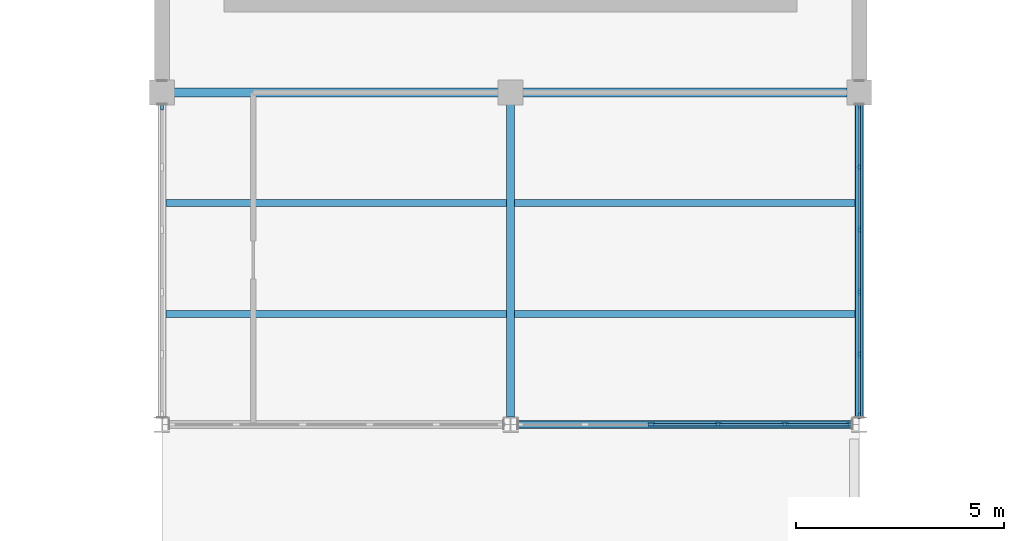
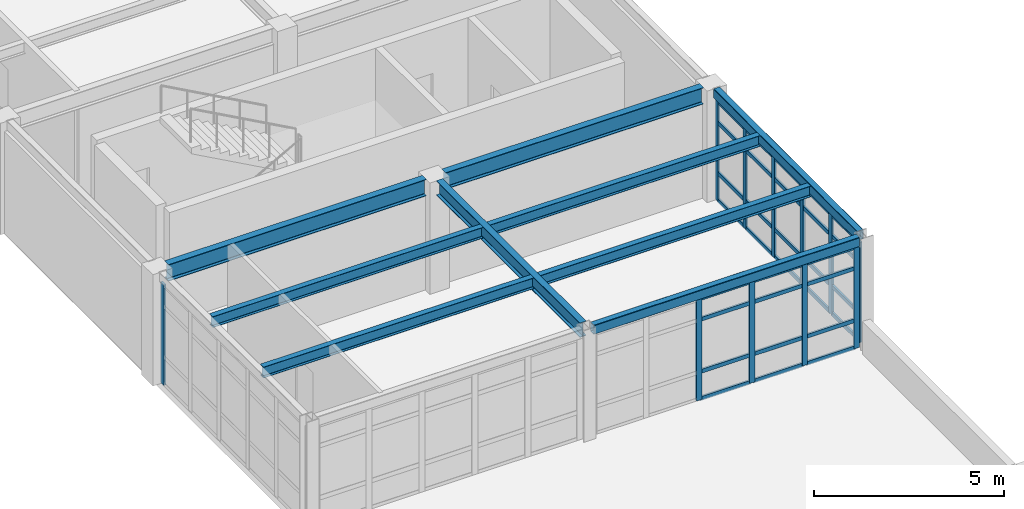
# One storey, part 21 of 96: 43 members, 9 beams, 3 elements without a shape of their own.
"""IFC4 building model written with IfcOpenShell, lengths in metres."""

from ifc_helpers import new_model, si_unit, direction, frame, origin, origin_2d, place, context, subcontext, project, spatial, rectangle, hollow_rectangle, i_section, extrude, material, layer, layer_set, material_profile, profile_set, type_object, element, aggregate, save


model = new_model("IFC4")

# Units and contexts
model_context = context("Model", 3, precision=1e-05, world=origin(), true_north=direction((0.0, 1.0)))
body_context = subcontext(model_context, "Body", "Model", "MODEL_VIEW")
ifc_project = project(units=[si_unit("LENGTHUNIT", "METRE"), si_unit("AREAUNIT", "SQUARE_METRE"), si_unit("VOLUMEUNIT", "CUBIC_METRE"), si_unit("PLANEANGLEUNIT", "RADIAN"), si_unit("MASSUNIT", "GRAM", prefix="KILO")], contexts=[model_context])

# Site, building, storey
site_placement = place(None, origin())
site = spatial("IfcSite", under=ifc_project, at=site_placement, CompositionType="ELEMENT")
building_placement = place(site_placement, origin())
building = spatial("IfcBuilding", under=site, at=building_placement, Name="Kranzveld Transit Interchange", CompositionType="ELEMENT")
storey_placement = place(building_placement, frame((0.0, 0.0, 9.52001953125)))
storey = spatial("IfcBuildingStorey", under=building, at=storey_placement, Name="L02", CompositionType="ELEMENT", Elevation=9.52001953125)

# Beam
ifc_material_1 = material(Name="Steel S355JR", Category="steel")
ifc_material_profile_1 = material_profile(ifc_material_1, i_section(OverallWidth=0.19189453125, OverallDepth=0.46337890625, WebThickness=0.010498046875, FlangeThickness=0.017578125, FilletRadius=0.01025390625, at=origin_2d()), Name="UB 457x191x89")
ifc_profile_set_1 = profile_set([ifc_material_profile_1], Name="Steel S355JR")
beam_type_1 = type_object("IfcBeamType", Name="Beam Steel UB 457x191x89 S355JR", PredefinedType="BEAM", material=ifc_profile_set_1)
beam_1_placement = place(storey_placement, frame((109.199951171875, 64.17724609375, 3.33837890625), z_axis=(0.0, 1.0, 0.0), x_axis=(-1.0, 0.0, 0.0)))
element("IfcBeam", 1, at=beam_1_placement, inside=storey, type_object=beam_type_1, Name="L02 Girder 14/J-K", PredefinedType="BEAM", context=body_context, shape_type="SweptSolid", body=[
    extrude(i_section(OverallWidth=0.19189453125, OverallDepth=0.46337890625, WebThickness=0.010498046875, FlangeThickness=0.017578125, FilletRadius=0.01025390625, at=origin_2d()), origin(), (0.0, 0.0, 1.0), 7.53271484375),
])

# Curtain wall, members
ifc_material_2 = material(Name="Bronze-anodised thermally broken aluminium", Category="aluminium")
ifc_layer_1 = layer(ifc_material_2, 0.1650390625)
ifc_layer_set_1 = layer_set([ifc_layer_1], Name="Bronze-anodised thermally broken aluminium")
curtain_wall_type_1 = type_object("IfcCurtainWallType", Name="Sunny Court Arcade Curtain Wall CW-2", PredefinedType="USERDEFINED", material=ifc_layer_set_1)
curtain_wall_1_placement = place(storey_placement, origin())
curtain_wall_1 = element("IfcCurtainWall", 2, at=curtain_wall_1_placement, inside=storey, type_object=curtain_wall_type_1, Name="L02 Curtain Wall 15/J-15/K", ObjectType="CURTAIN WALL", PredefinedType="USERDEFINED")
ifc_material_3 = material(Name="Bronze-anodised thermally broken aluminium", Category="aluminium")
ifc_material_profile_2 = material_profile(ifc_material_3, rectangle(XDim=0.06494140625, YDim=0.1650390625, at=origin_2d()), Name="ALU MULLION 65x165")
ifc_profile_set_2 = profile_set([ifc_material_profile_2], Name="Bronze-anodised thermally broken aluminium")
member_type_1 = type_object("IfcMemberType", Name="Curtain Wall Mullion 65x165 Alu", PredefinedType="MULLION", material=ifc_profile_set_2)
member_1_placement = place(storey_placement, frame((117.60009765625, 64.2197265625, 0.0), z_axis=(0.0, 0.0, 1.0), x_axis=(-1.0, 0.0, 0.0)))
member_1 = element("IfcMember", 3, at=member_1_placement, type_object=member_type_1, Name="CW-2 mullion 1", PredefinedType="MULLION", context=body_context, shape_type="SweptSolid", body=[
    extrude(rectangle(XDim=0.06494140625, YDim=0.1650390625, at=origin_2d()), origin(), (0.0, 0.0, 1.0), 3.218505859375),
])
member_2_placement = place(storey_placement, frame((117.60009765625, 65.68994140625, 0.0), z_axis=(0.0, 0.0, 1.0), x_axis=(-1.0, 0.0, 0.0)))
member_2 = element("IfcMember", 4, at=member_2_placement, type_object=member_type_1, Name="CW-2 mullion 2", PredefinedType="MULLION", context=body_context, shape_type="SweptSolid", body=[
    extrude(rectangle(XDim=0.06494140625, YDim=0.1650390625, at=origin_2d()), origin(), (0.0, 0.0, 1.0), 3.218505859375),
])
member_3_placement = place(storey_placement, frame((117.60009765625, 67.1923828125, 0.0), z_axis=(0.0, 0.0, 1.0), x_axis=(-1.0, 0.0, 0.0)))
member_3 = element("IfcMember", 5, at=member_3_placement, type_object=member_type_1, Name="CW-2 mullion 3", PredefinedType="MULLION", context=body_context, shape_type="SweptSolid", body=[
    extrude(rectangle(XDim=0.06494140625, YDim=0.1650390625, at=origin_2d()), origin(), (0.0, 0.0, 1.0), 3.218505859375),
])
member_4_placement = place(storey_placement, frame((117.60009765625, 68.69482421875, 0.0), z_axis=(0.0, 0.0, 1.0), x_axis=(-1.0, 0.0, 0.0)))
member_4 = element("IfcMember", 6, at=member_4_placement, type_object=member_type_1, Name="CW-2 mullion 4", PredefinedType="MULLION", context=body_context, shape_type="SweptSolid", body=[
    extrude(rectangle(XDim=0.06494140625, YDim=0.1650390625, at=origin_2d()), origin(), (0.0, 0.0, 1.0), 3.218505859375),
])
member_5_placement = place(storey_placement, frame((117.60009765625, 70.197509765625, 0.0), z_axis=(0.0, 0.0, 1.0), x_axis=(-1.0, 0.0, 0.0)))
member_5 = element("IfcMember", 7, at=member_5_placement, type_object=member_type_1, Name="CW-2 mullion 5", PredefinedType="MULLION", context=body_context, shape_type="SweptSolid", body=[
    extrude(rectangle(XDim=0.06494140625, YDim=0.1650390625, at=origin_2d()), origin(), (0.0, 0.0, 1.0), 3.218505859375),
])
member_6_placement = place(storey_placement, frame((117.60009765625, 71.66748046875, 0.0), z_axis=(0.0, 0.0, 1.0), x_axis=(-1.0, 0.0, 0.0)))
member_6 = element("IfcMember", 8, at=member_6_placement, type_object=member_type_1, Name="CW-2 mullion 6", PredefinedType="MULLION", context=body_context, shape_type="SweptSolid", body=[
    extrude(rectangle(XDim=0.06494140625, YDim=0.1650390625, at=origin_2d()), origin(), (0.0, 0.0, 1.0), 3.218505859375),
])

ifc_material_4 = material(Name="Bronze-anodised thermally broken aluminium", Category="aluminium")
ifc_layer_2 = layer(ifc_material_4, 0.155029296875)
ifc_layer_set_2 = layer_set([ifc_layer_2], Name="Bronze-anodised thermally broken aluminium")
curtain_wall_type_2 = type_object("IfcCurtainWallType", Name="Operations Courtyard Glazed Screen CW-6", PredefinedType="USERDEFINED", material=ifc_layer_set_2)
curtain_wall_2_placement = place(storey_placement, origin())
curtain_wall_2 = element("IfcCurtainWall", 9, at=curtain_wall_2_placement, inside=storey, type_object=curtain_wall_type_2, Name="L02 Curtain Wall 14/J-15/J", ObjectType="CURTAIN WALL", PredefinedType="USERDEFINED")
member_7_placement = place(storey_placement, frame((112.597412109375, 64.0, 0.0), z_axis=(0.0, 0.0, 1.0), x_axis=(0.0, 1.0, 0.0)))
member_7 = element("IfcMember", 10, at=member_7_placement, type_object=member_type_1, Name="CW-6 mullion 3", PredefinedType="MULLION", context=body_context, shape_type="SweptSolid", body=[
    extrude(rectangle(XDim=0.06494140625, YDim=0.1650390625, at=origin_2d()), origin(), (0.0, 0.0, 1.0), 3.27001953125),
])
member_8_placement = place(storey_placement, frame((114.20263671875, 64.0, 0.0), z_axis=(0.0, 0.0, 1.0), x_axis=(0.0, 1.0, 0.0)))
member_8 = element("IfcMember", 11, at=member_8_placement, type_object=member_type_1, Name="CW-6 mullion 4", PredefinedType="MULLION", context=body_context, shape_type="SweptSolid", body=[
    extrude(rectangle(XDim=0.06494140625, YDim=0.1650390625, at=origin_2d()), origin(), (0.0, 0.0, 1.0), 3.27001953125),
])
member_9_placement = place(storey_placement, frame((115.8076171875, 64.0, 0.0), z_axis=(0.0, 0.0, 1.0), x_axis=(0.0, 1.0, 0.0)))
member_9 = element("IfcMember", 12, at=member_9_placement, type_object=member_type_1, Name="CW-6 mullion 5", PredefinedType="MULLION", context=body_context, shape_type="SweptSolid", body=[
    extrude(rectangle(XDim=0.06494140625, YDim=0.1650390625, at=origin_2d()), origin(), (0.0, 0.0, 1.0), 3.27001953125),
])
member_10_placement = place(storey_placement, frame((117.380126953125, 64.0, 0.0), z_axis=(0.0, 0.0, 1.0), x_axis=(0.0, 1.0, 0.0)))
member_10 = element("IfcMember", 13, at=member_10_placement, type_object=member_type_1, Name="CW-6 mullion 6", PredefinedType="MULLION", context=body_context, shape_type="SweptSolid", body=[
    extrude(rectangle(XDim=0.06494140625, YDim=0.1650390625, at=origin_2d()), origin(), (0.0, 0.0, 1.0), 3.27001953125),
])

# Curtain wall, member
curtain_wall_3_placement = place(storey_placement, origin())
curtain_wall_3 = element("IfcCurtainWall", 14, at=curtain_wall_3_placement, inside=storey, type_object=curtain_wall_type_1, Name="L02 Curtain Wall 13/J-13/K", ObjectType="CURTAIN WALL", PredefinedType="USERDEFINED")
ifc_material_5 = material(Name="Bronze-anodised thermally broken aluminium", Category="aluminium")
ifc_material_profile_3 = material_profile(ifc_material_5, rectangle(XDim=0.06494140625, YDim=0.179931640625, at=origin_2d()), Name="ALU MULLION 65x180")
ifc_profile_set_3 = profile_set([ifc_material_profile_3], Name="Bronze-anodised thermally broken aluminium")
member_type_2 = type_object("IfcMemberType", Name="Curtain Wall Mullion 65x180 Alu", PredefinedType="MULLION", material=ifc_profile_set_3)
member_11_placement = place(storey_placement, frame((100.800048828125, 71.66748046875, 0.0), z_axis=(0.0, 0.0, 1.0), x_axis=(-1.0, 0.0, 0.0)))
member_11 = element("IfcMember", 15, at=member_11_placement, type_object=member_type_2, Name="CW-2 mullion 6", PredefinedType="MULLION", context=body_context, shape_type="SweptSolid", body=[
    extrude(rectangle(XDim=0.06494140625, YDim=0.179931640625, at=origin_2d()), origin(), (0.0, 0.0, 1.0), 3.218505859375),
])
aggregate(curtain_wall_3, [member_11])

# Member
ifc_material_6 = material(Name="Bronze-anodised thermally broken aluminium", Category="aluminium")
ifc_material_profile_4 = material_profile(ifc_material_6, rectangle(XDim=0.06005859375, YDim=0.125, at=origin_2d()), Name="ALU TRANSOM 60x125")
ifc_profile_set_4 = profile_set([ifc_material_profile_4], Name="Bronze-anodised thermally broken aluminium")
member_type_3 = type_object("IfcMemberType", Name="Curtain Wall Transom 60x125 Alu", PredefinedType="USERDEFINED", material=ifc_profile_set_4)
member_12_placement = place(storey_placement, frame((117.60009765625, 64.252197265625, 0.030029296875), z_axis=(0.0, 1.0, 0.0), x_axis=(-1.0, 0.0, 0.0)))
member_12 = element("IfcMember", 16, at=member_12_placement, type_object=member_type_3, Name="CW-2 transom 1.1", ObjectType="TRANSOM", PredefinedType="USERDEFINED", context=body_context, shape_type="SweptSolid", body=[
    extrude(rectangle(XDim=0.06005859375, YDim=0.125, at=origin_2d()), origin(), (0.0, 0.0, 1.0), 1.405029296875),
])

member_13_placement = place(storey_placement, frame((117.60009765625, 64.252197265625, 0.89990234375), z_axis=(0.0, 1.0, 0.0), x_axis=(-1.0, 0.0, 0.0)))
member_13 = element("IfcMember", 17, at=member_13_placement, type_object=member_type_3, Name="CW-2 transom 1.2", ObjectType="TRANSOM", PredefinedType="USERDEFINED", context=body_context, shape_type="SweptSolid", body=[
    extrude(rectangle(XDim=0.06005859375, YDim=0.125, at=origin_2d()), origin(), (0.0, 0.0, 1.0), 1.405029296875),
])

member_14_placement = place(storey_placement, frame((117.60009765625, 64.252197265625, 2.5185546875), z_axis=(0.0, 1.0, 0.0), x_axis=(-1.0, 0.0, 0.0)))
member_14 = element("IfcMember", 18, at=member_14_placement, type_object=member_type_3, Name="CW-2 transom 1.3", ObjectType="TRANSOM", PredefinedType="USERDEFINED", context=body_context, shape_type="SweptSolid", body=[
    extrude(rectangle(XDim=0.06005859375, YDim=0.125, at=origin_2d()), origin(), (0.0, 0.0, 1.0), 1.405029296875),
])

member_15_placement = place(storey_placement, frame((117.60009765625, 64.252197265625, 3.1884765625), z_axis=(0.0, 1.0, 0.0), x_axis=(-1.0, 0.0, 0.0)))
member_15 = element("IfcMember", 19, at=member_15_placement, type_object=member_type_3, Name="CW-2 transom 1.4", ObjectType="TRANSOM", PredefinedType="USERDEFINED", context=body_context, shape_type="SweptSolid", body=[
    extrude(rectangle(XDim=0.06005859375, YDim=0.125, at=origin_2d()), origin(), (0.0, 0.0, 1.0), 1.405029296875),
])

member_16_placement = place(storey_placement, frame((117.60009765625, 65.722412109375, 0.030029296875), z_axis=(0.0, 1.0, 0.0), x_axis=(-1.0, 0.0, 0.0)))
member_16 = element("IfcMember", 20, at=member_16_placement, type_object=member_type_3, Name="CW-2 transom 2.1", ObjectType="TRANSOM", PredefinedType="USERDEFINED", context=body_context, shape_type="SweptSolid", body=[
    extrude(rectangle(XDim=0.06005859375, YDim=0.125, at=origin_2d()), origin(), (0.0, 0.0, 1.0), 1.4375),
])

member_17_placement = place(storey_placement, frame((117.60009765625, 65.722412109375, 0.89990234375), z_axis=(0.0, 1.0, 0.0), x_axis=(-1.0, 0.0, 0.0)))
member_17 = element("IfcMember", 21, at=member_17_placement, type_object=member_type_3, Name="CW-2 transom 2.2", ObjectType="TRANSOM", PredefinedType="USERDEFINED", context=body_context, shape_type="SweptSolid", body=[
    extrude(rectangle(XDim=0.06005859375, YDim=0.125, at=origin_2d()), origin(), (0.0, 0.0, 1.0), 1.4375),
])

member_18_placement = place(storey_placement, frame((117.60009765625, 65.722412109375, 2.5185546875), z_axis=(0.0, 1.0, 0.0), x_axis=(-1.0, 0.0, 0.0)))
member_18 = element("IfcMember", 22, at=member_18_placement, type_object=member_type_3, Name="CW-2 transom 2.3", ObjectType="TRANSOM", PredefinedType="USERDEFINED", context=body_context, shape_type="SweptSolid", body=[
    extrude(rectangle(XDim=0.06005859375, YDim=0.125, at=origin_2d()), origin(), (0.0, 0.0, 1.0), 1.4375),
])

member_19_placement = place(storey_placement, frame((117.60009765625, 65.722412109375, 3.1884765625), z_axis=(0.0, 1.0, 0.0), x_axis=(-1.0, 0.0, 0.0)))
member_19 = element("IfcMember", 23, at=member_19_placement, type_object=member_type_3, Name="CW-2 transom 2.4", ObjectType="TRANSOM", PredefinedType="USERDEFINED", context=body_context, shape_type="SweptSolid", body=[
    extrude(rectangle(XDim=0.06005859375, YDim=0.125, at=origin_2d()), origin(), (0.0, 0.0, 1.0), 1.4375),
])

member_20_placement = place(storey_placement, frame((117.60009765625, 67.224853515625, 0.030029296875), z_axis=(0.0, 1.0, 0.0), x_axis=(-1.0, 0.0, 0.0)))
member_20 = element("IfcMember", 24, at=member_20_placement, type_object=member_type_3, Name="CW-2 transom 3.1", ObjectType="TRANSOM", PredefinedType="USERDEFINED", context=body_context, shape_type="SweptSolid", body=[
    extrude(rectangle(XDim=0.06005859375, YDim=0.125, at=origin_2d()), origin(), (0.0, 0.0, 1.0), 1.4375),
])

member_21_placement = place(storey_placement, frame((117.60009765625, 67.224853515625, 0.89990234375), z_axis=(0.0, 1.0, 0.0), x_axis=(-1.0, 0.0, 0.0)))
member_21 = element("IfcMember", 25, at=member_21_placement, type_object=member_type_3, Name="CW-2 transom 3.2", ObjectType="TRANSOM", PredefinedType="USERDEFINED", context=body_context, shape_type="SweptSolid", body=[
    extrude(rectangle(XDim=0.06005859375, YDim=0.125, at=origin_2d()), origin(), (0.0, 0.0, 1.0), 1.4375),
])

member_22_placement = place(storey_placement, frame((117.60009765625, 67.224853515625, 2.5185546875), z_axis=(0.0, 1.0, 0.0), x_axis=(-1.0, 0.0, 0.0)))
member_22 = element("IfcMember", 26, at=member_22_placement, type_object=member_type_3, Name="CW-2 transom 3.3", ObjectType="TRANSOM", PredefinedType="USERDEFINED", context=body_context, shape_type="SweptSolid", body=[
    extrude(rectangle(XDim=0.06005859375, YDim=0.125, at=origin_2d()), origin(), (0.0, 0.0, 1.0), 1.4375),
])

member_23_placement = place(storey_placement, frame((117.60009765625, 67.224853515625, 3.1884765625), z_axis=(0.0, 1.0, 0.0), x_axis=(-1.0, 0.0, 0.0)))
member_23 = element("IfcMember", 27, at=member_23_placement, type_object=member_type_3, Name="CW-2 transom 3.4", ObjectType="TRANSOM", PredefinedType="USERDEFINED", context=body_context, shape_type="SweptSolid", body=[
    extrude(rectangle(XDim=0.06005859375, YDim=0.125, at=origin_2d()), origin(), (0.0, 0.0, 1.0), 1.4375),
])

member_24_placement = place(storey_placement, frame((117.60009765625, 68.7275390625, 0.030029296875), z_axis=(0.0, 1.0, 0.0), x_axis=(-1.0, 0.0, 0.0)))
member_24 = element("IfcMember", 28, at=member_24_placement, type_object=member_type_3, Name="CW-2 transom 4.1", ObjectType="TRANSOM", PredefinedType="USERDEFINED", context=body_context, shape_type="SweptSolid", body=[
    extrude(rectangle(XDim=0.06005859375, YDim=0.125, at=origin_2d()), origin(), (0.0, 0.0, 1.0), 1.4375),
])

member_25_placement = place(storey_placement, frame((117.60009765625, 68.7275390625, 0.89990234375), z_axis=(0.0, 1.0, 0.0), x_axis=(-1.0, 0.0, 0.0)))
member_25 = element("IfcMember", 29, at=member_25_placement, type_object=member_type_3, Name="CW-2 transom 4.2", ObjectType="TRANSOM", PredefinedType="USERDEFINED", context=body_context, shape_type="SweptSolid", body=[
    extrude(rectangle(XDim=0.06005859375, YDim=0.125, at=origin_2d()), origin(), (0.0, 0.0, 1.0), 1.4375),
])

member_26_placement = place(storey_placement, frame((117.60009765625, 68.7275390625, 2.5185546875), z_axis=(0.0, 1.0, 0.0), x_axis=(-1.0, 0.0, 0.0)))
member_26 = element("IfcMember", 30, at=member_26_placement, type_object=member_type_3, Name="CW-2 transom 4.3", ObjectType="TRANSOM", PredefinedType="USERDEFINED", context=body_context, shape_type="SweptSolid", body=[
    extrude(rectangle(XDim=0.06005859375, YDim=0.125, at=origin_2d()), origin(), (0.0, 0.0, 1.0), 1.4375),
])

member_27_placement = place(storey_placement, frame((117.60009765625, 68.7275390625, 3.1884765625), z_axis=(0.0, 1.0, 0.0), x_axis=(-1.0, 0.0, 0.0)))
member_27 = element("IfcMember", 31, at=member_27_placement, type_object=member_type_3, Name="CW-2 transom 4.4", ObjectType="TRANSOM", PredefinedType="USERDEFINED", context=body_context, shape_type="SweptSolid", body=[
    extrude(rectangle(XDim=0.06005859375, YDim=0.125, at=origin_2d()), origin(), (0.0, 0.0, 1.0), 1.4375),
])

member_28_placement = place(storey_placement, frame((117.60009765625, 70.22998046875, 0.030029296875), z_axis=(0.0, 1.0, 0.0), x_axis=(-1.0, 0.0, 0.0)))
member_28 = element("IfcMember", 32, at=member_28_placement, type_object=member_type_3, Name="CW-2 transom 5.1", ObjectType="TRANSOM", PredefinedType="USERDEFINED", context=body_context, shape_type="SweptSolid", body=[
    extrude(rectangle(XDim=0.06005859375, YDim=0.125, at=origin_2d()), origin(), (0.0, 0.0, 1.0), 1.405029296875),
])

member_29_placement = place(storey_placement, frame((117.60009765625, 70.22998046875, 0.89990234375), z_axis=(0.0, 1.0, 0.0), x_axis=(-1.0, 0.0, 0.0)))
member_29 = element("IfcMember", 33, at=member_29_placement, type_object=member_type_3, Name="CW-2 transom 5.2", ObjectType="TRANSOM", PredefinedType="USERDEFINED", context=body_context, shape_type="SweptSolid", body=[
    extrude(rectangle(XDim=0.06005859375, YDim=0.125, at=origin_2d()), origin(), (0.0, 0.0, 1.0), 1.405029296875),
])

member_30_placement = place(storey_placement, frame((117.60009765625, 70.22998046875, 2.5185546875), z_axis=(0.0, 1.0, 0.0), x_axis=(-1.0, 0.0, 0.0)))
member_30 = element("IfcMember", 34, at=member_30_placement, type_object=member_type_3, Name="CW-2 transom 5.3", ObjectType="TRANSOM", PredefinedType="USERDEFINED", context=body_context, shape_type="SweptSolid", body=[
    extrude(rectangle(XDim=0.06005859375, YDim=0.125, at=origin_2d()), origin(), (0.0, 0.0, 1.0), 1.405029296875),
])

member_31_placement = place(storey_placement, frame((117.60009765625, 70.22998046875, 3.1884765625), z_axis=(0.0, 1.0, 0.0), x_axis=(-1.0, 0.0, 0.0)))
member_31 = element("IfcMember", 35, at=member_31_placement, type_object=member_type_3, Name="CW-2 transom 5.4", ObjectType="TRANSOM", PredefinedType="USERDEFINED", context=body_context, shape_type="SweptSolid", body=[
    extrude(rectangle(XDim=0.06005859375, YDim=0.125, at=origin_2d()), origin(), (0.0, 0.0, 1.0), 1.405029296875),
])

aggregate(curtain_wall_1, [member_1, member_2, member_3, member_4, member_5, member_6, member_12, member_13, member_14, member_15, member_16, member_17, member_18, member_19, member_20, member_21, member_22, member_23, member_24, member_25, member_26, member_27, member_28, member_29, member_30, member_31])

member_32_placement = place(storey_placement, frame((112.6298828125, 64.0, 0.030029296875), z_axis=(1.0, 0.0, 0.0), x_axis=(0.0, 1.0, 0.0)))
member_32 = element("IfcMember", 36, at=member_32_placement, type_object=member_type_3, Name="CW-6 transom 3.1", ObjectType="TRANSOM", PredefinedType="USERDEFINED", context=body_context, shape_type="SweptSolid", body=[
    extrude(rectangle(XDim=0.06005859375, YDim=0.125, at=origin_2d()), origin(), (0.0, 0.0, 1.0), 1.5400390625),
])

member_33_placement = place(storey_placement, frame((112.6298828125, 64.0, 0.89990234375), z_axis=(1.0, 0.0, 0.0), x_axis=(0.0, 1.0, 0.0)))
member_33 = element("IfcMember", 37, at=member_33_placement, type_object=member_type_3, Name="CW-6 transom 3.2", ObjectType="TRANSOM", PredefinedType="USERDEFINED", context=body_context, shape_type="SweptSolid", body=[
    extrude(rectangle(XDim=0.06005859375, YDim=0.125, at=origin_2d()), origin(), (0.0, 0.0, 1.0), 1.5400390625),
])

member_34_placement = place(storey_placement, frame((112.6298828125, 64.0, 2.570068359375), z_axis=(1.0, 0.0, 0.0), x_axis=(0.0, 1.0, 0.0)))
member_34 = element("IfcMember", 38, at=member_34_placement, type_object=member_type_3, Name="CW-6 transom 3.3", ObjectType="TRANSOM", PredefinedType="USERDEFINED", context=body_context, shape_type="SweptSolid", body=[
    extrude(rectangle(XDim=0.06005859375, YDim=0.125, at=origin_2d()), origin(), (0.0, 0.0, 1.0), 1.5400390625),
])

member_35_placement = place(storey_placement, frame((112.6298828125, 64.0, 3.239990234375), z_axis=(1.0, 0.0, 0.0), x_axis=(0.0, 1.0, 0.0)))
member_35 = element("IfcMember", 39, at=member_35_placement, type_object=member_type_3, Name="CW-6 transom 3.4", ObjectType="TRANSOM", PredefinedType="USERDEFINED", context=body_context, shape_type="SweptSolid", body=[
    extrude(rectangle(XDim=0.06005859375, YDim=0.125, at=origin_2d()), origin(), (0.0, 0.0, 1.0), 1.5400390625),
])

member_36_placement = place(storey_placement, frame((114.235107421875, 64.0, 0.030029296875), z_axis=(1.0, 0.0, 0.0), x_axis=(0.0, 1.0, 0.0)))
member_36 = element("IfcMember", 40, at=member_36_placement, type_object=member_type_3, Name="CW-6 transom 4.1", ObjectType="TRANSOM", PredefinedType="USERDEFINED", context=body_context, shape_type="SweptSolid", body=[
    extrude(rectangle(XDim=0.06005859375, YDim=0.125, at=origin_2d()), origin(), (0.0, 0.0, 1.0), 1.5400390625),
])

member_37_placement = place(storey_placement, frame((114.235107421875, 64.0, 0.89990234375), z_axis=(1.0, 0.0, 0.0), x_axis=(0.0, 1.0, 0.0)))
member_37 = element("IfcMember", 41, at=member_37_placement, type_object=member_type_3, Name="CW-6 transom 4.2", ObjectType="TRANSOM", PredefinedType="USERDEFINED", context=body_context, shape_type="SweptSolid", body=[
    extrude(rectangle(XDim=0.06005859375, YDim=0.125, at=origin_2d()), origin(), (0.0, 0.0, 1.0), 1.5400390625),
])

member_38_placement = place(storey_placement, frame((114.235107421875, 64.0, 2.570068359375), z_axis=(1.0, 0.0, 0.0), x_axis=(0.0, 1.0, 0.0)))
member_38 = element("IfcMember", 42, at=member_38_placement, type_object=member_type_3, Name="CW-6 transom 4.3", ObjectType="TRANSOM", PredefinedType="USERDEFINED", context=body_context, shape_type="SweptSolid", body=[
    extrude(rectangle(XDim=0.06005859375, YDim=0.125, at=origin_2d()), origin(), (0.0, 0.0, 1.0), 1.5400390625),
])

member_39_placement = place(storey_placement, frame((114.235107421875, 64.0, 3.239990234375), z_axis=(1.0, 0.0, 0.0), x_axis=(0.0, 1.0, 0.0)))
member_39 = element("IfcMember", 43, at=member_39_placement, type_object=member_type_3, Name="CW-6 transom 4.4", ObjectType="TRANSOM", PredefinedType="USERDEFINED", context=body_context, shape_type="SweptSolid", body=[
    extrude(rectangle(XDim=0.06005859375, YDim=0.125, at=origin_2d()), origin(), (0.0, 0.0, 1.0), 1.5400390625),
])

member_40_placement = place(storey_placement, frame((115.840087890625, 64.0, 0.030029296875), z_axis=(1.0, 0.0, 0.0), x_axis=(0.0, 1.0, 0.0)))
member_40 = element("IfcMember", 44, at=member_40_placement, type_object=member_type_3, Name="CW-6 transom 5.1", ObjectType="TRANSOM", PredefinedType="USERDEFINED", context=body_context, shape_type="SweptSolid", body=[
    extrude(rectangle(XDim=0.06005859375, YDim=0.125, at=origin_2d()), origin(), (0.0, 0.0, 1.0), 1.507568359375),
])

member_41_placement = place(storey_placement, frame((115.840087890625, 64.0, 0.89990234375), z_axis=(1.0, 0.0, 0.0), x_axis=(0.0, 1.0, 0.0)))
member_41 = element("IfcMember", 45, at=member_41_placement, type_object=member_type_3, Name="CW-6 transom 5.2", ObjectType="TRANSOM", PredefinedType="USERDEFINED", context=body_context, shape_type="SweptSolid", body=[
    extrude(rectangle(XDim=0.06005859375, YDim=0.125, at=origin_2d()), origin(), (0.0, 0.0, 1.0), 1.507568359375),
])

member_42_placement = place(storey_placement, frame((115.840087890625, 64.0, 2.570068359375), z_axis=(1.0, 0.0, 0.0), x_axis=(0.0, 1.0, 0.0)))
member_42 = element("IfcMember", 46, at=member_42_placement, type_object=member_type_3, Name="CW-6 transom 5.3", ObjectType="TRANSOM", PredefinedType="USERDEFINED", context=body_context, shape_type="SweptSolid", body=[
    extrude(rectangle(XDim=0.06005859375, YDim=0.125, at=origin_2d()), origin(), (0.0, 0.0, 1.0), 1.507568359375),
])

member_43_placement = place(storey_placement, frame((115.840087890625, 64.0, 3.239990234375), z_axis=(1.0, 0.0, 0.0), x_axis=(0.0, 1.0, 0.0)))
member_43 = element("IfcMember", 47, at=member_43_placement, type_object=member_type_3, Name="CW-6 transom 5.4", ObjectType="TRANSOM", PredefinedType="USERDEFINED", context=body_context, shape_type="SweptSolid", body=[
    extrude(rectangle(XDim=0.06005859375, YDim=0.125, at=origin_2d()), origin(), (0.0, 0.0, 1.0), 1.507568359375),
])

aggregate(curtain_wall_2, [member_7, member_8, member_9, member_10, member_32, member_33, member_34, member_35, member_36, member_37, member_38, member_39, member_40, member_41, member_42, member_43])

# Beams
ifc_material_7 = material(Name="Steel S355JR", Category="steel")
ifc_material_profile_5 = material_profile(ifc_material_7, hollow_rectangle(XDim=0.199951171875, YDim=0.300048828125, WallThickness=0.010009765625, InnerFilletRadius=0.014892578125, OuterFilletRadius=0.02490234375, at=origin_2d()), Name="RHS 300x200x10")
ifc_profile_set_5 = profile_set([ifc_material_profile_5], Name="Steel S355JR")
beam_type_2 = type_object("IfcBeamType", Name="Edge Spandrel RHS 300x200x10 S355JR", PredefinedType="SPANDREL", material=ifc_profile_set_5)
beam_2_placement = place(storey_placement, frame((109.377197265625, 64.0, 3.419921875), z_axis=(1.0, 0.0, 0.0), x_axis=(0.0, 1.0, 0.0)))
element("IfcBeam", 48, at=beam_2_placement, inside=storey, type_object=beam_type_2, Name="L02 Girder 14-15/J", PredefinedType="SPANDREL", context=body_context, shape_type="SweptSolid", body=[
    extrude(hollow_rectangle(XDim=0.199951171875, YDim=0.300048828125, WallThickness=0.010009765625, InnerFilletRadius=0.014892578125, OuterFilletRadius=0.02490234375, at=origin_2d()), origin(), (0.0, 0.0, 1.0), 8.04541015625),
])
beam_3_placement = place(storey_placement, frame((117.60009765625, 64.17724609375, 3.419921875), z_axis=(0.0, 1.0, 0.0), x_axis=(-1.0, 0.0, 0.0)))
element("IfcBeam", 49, at=beam_3_placement, inside=storey, type_object=beam_type_2, Name="L02 Girder 15/J-K", PredefinedType="SPANDREL", context=body_context, shape_type="SweptSolid", body=[
    extrude(hollow_rectangle(XDim=0.199951171875, YDim=0.300048828125, WallThickness=0.010009765625, InnerFilletRadius=0.014892578125, OuterFilletRadius=0.02490234375, at=origin_2d()), origin(), (0.0, 0.0, 1.0), 7.53271484375),
])
ifc_material_8 = material(Name="Steel S355JR", Category="steel")
ifc_material_profile_6 = material_profile(ifc_material_8, i_section(OverallWidth=0.171142578125, OverallDepth=0.351318359375, WebThickness=0.007080078125, FlangeThickness=0.009765625, FilletRadius=0.01025390625, at=origin_2d()), Name="UB 356x171x45")
ifc_profile_set_6 = profile_set([ifc_material_profile_6], Name="Steel S355JR")
beam_type_3 = type_object("IfcBeamType", Name="Floor Joist UB 356x171x45 S355JR", PredefinedType="JOIST", material=ifc_profile_set_6)
for number, where, z_axis, x_axis, name in (
    (50, (100.902099609375, 66.666748046875, 3.394287109375), (1.0, 0.0, 0.0), (0.0, 1.0, 0.0), "L02 Secondary Joist 13-14/J.1"),
    (51, (100.902099609375, 69.333251953125, 3.394287109375), (1.0, 0.0, 0.0), (0.0, 1.0, 0.0), "L02 Secondary Joist 13-14/J.2"),
):
    element("IfcBeam", number, at=place(storey_placement, frame(where, z_axis=z_axis, x_axis=x_axis)), inside=storey, type_object=beam_type_3, Name=name, PredefinedType="JOIST", context=body_context, shape_type="SweptSolid", body=[
        extrude(i_section(OverallWidth=0.171142578125, OverallDepth=0.351318359375, WebThickness=0.007080078125, FlangeThickness=0.009765625, FilletRadius=0.01025390625, at=origin_2d()), origin(), (0.0, 0.0, 1.0), 8.199951171875),
    ])
for number, where, z_axis, x_axis, name in (
    (52, (109.2978515625, 66.666748046875, 3.394287109375), (1.0, 0.0, 0.0), (0.0, 1.0, 0.0), "L02 Secondary Joist 14-15/J.1"),
    (53, (109.2978515625, 69.333251953125, 3.394287109375), (1.0, 0.0, 0.0), (0.0, 1.0, 0.0), "L02 Secondary Joist 14-15/J.2"),
):
    element("IfcBeam", number, at=place(storey_placement, frame(where, z_axis=z_axis, x_axis=x_axis)), inside=storey, type_object=beam_type_3, Name=name, PredefinedType="JOIST", context=body_context, shape_type="SweptSolid", body=[
        extrude(i_section(OverallWidth=0.171142578125, OverallDepth=0.351318359375, WebThickness=0.007080078125, FlangeThickness=0.009765625, FilletRadius=0.01025390625, at=origin_2d()), origin(), (0.0, 0.0, 1.0), 8.2001953125),
    ])
ifc_material_9 = material(Name="Steel S355JR", Category="steel")
ifc_material_profile_7 = material_profile(ifc_material_9, i_section(OverallWidth=0.209228515625, OverallDepth=0.533203125, WebThickness=0.010009765625, FlangeThickness=0.015625, FilletRadius=0.0126953125, at=origin_2d()), Name="UB 533x210x92")
ifc_profile_set_7 = profile_set([ifc_material_profile_7], Name="Steel S355JR")
beam_type_4 = type_object("IfcBeamType", Name="Girder Steel UB 533x210x92 S355JR", PredefinedType="BEAM", material=ifc_profile_set_7)
beam_4_placement = place(storey_placement, frame((101.090087890625, 72.0, 3.303466796875), z_axis=(1.0, 0.0, 0.0), x_axis=(0.0, 1.0, 0.0)))
element("IfcBeam", 54, at=beam_4_placement, inside=storey, type_object=beam_type_4, Name="L02 Girder 13-14/K", PredefinedType="BEAM", context=body_context, shape_type="SweptSolid", body=[
    extrude(i_section(OverallWidth=0.209228515625, OverallDepth=0.533203125, WebThickness=0.010009765625, FlangeThickness=0.015625, FilletRadius=0.0126953125, at=origin_2d()), origin(), (0.0, 0.0, 1.0), 7.81982421875),
])
beam_5_placement = place(storey_placement, frame((109.489990234375, 72.0, 3.303466796875), z_axis=(1.0, 0.0, 0.0), x_axis=(0.0, 1.0, 0.0)))
element("IfcBeam", 55, at=beam_5_placement, inside=storey, type_object=beam_type_4, Name="L02 Girder 14-15/K", PredefinedType="BEAM", context=body_context, shape_type="SweptSolid", body=[
    extrude(i_section(OverallWidth=0.209228515625, OverallDepth=0.533203125, WebThickness=0.010009765625, FlangeThickness=0.015625, FilletRadius=0.0126953125, at=origin_2d()), origin(), (0.0, 0.0, 1.0), 7.820068359375),
])

save(model, "model.ifc")
